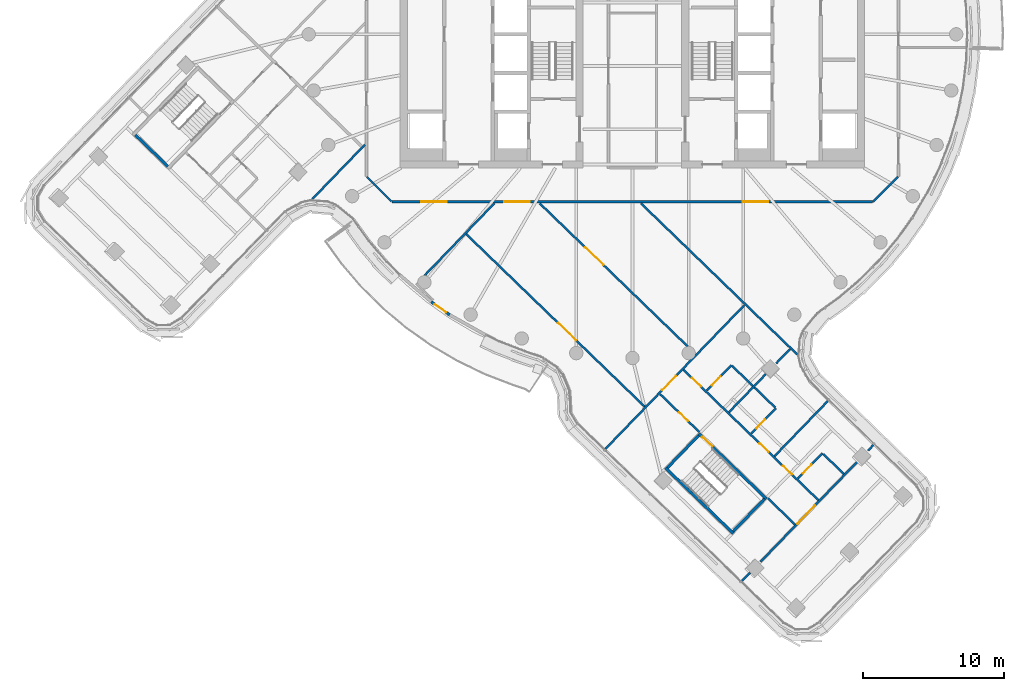
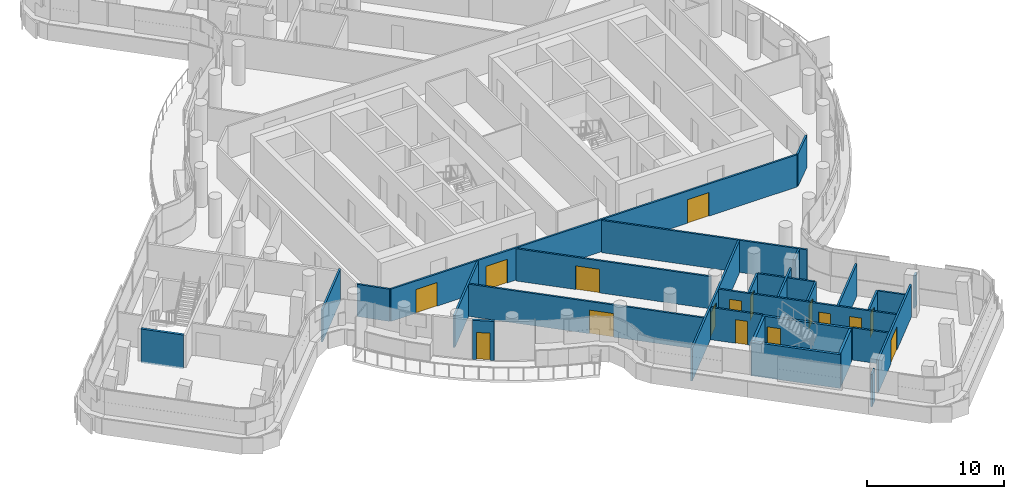
# One storey, part 19 of 31: 29 walls, 16 doors, 16 openings.
"""IFC4 building model written with IfcOpenShell, lengths in metres."""

from ifc_helpers import new_model, si_unit, direction, frame, frame_2d, origin, place, context, subcontext, project, spatial, polyline, rectangle, outline, extrude, material, layer, layer_set, type_object, element, fill, save


model = new_model("IFC4")

# Units and contexts
model_context = context("Model", 3, precision=1e-05, world=origin(), true_north=direction((0.0, 1.0)))
body_context = subcontext(model_context, "Body", "Model", "MODEL_VIEW")
ifc_project = project(units=[si_unit("LENGTHUNIT", "METRE"), si_unit("AREAUNIT", "SQUARE_METRE"), si_unit("VOLUMEUNIT", "CUBIC_METRE"), si_unit("PLANEANGLEUNIT", "RADIAN"), si_unit("MASSUNIT", "GRAM", prefix="KILO")], contexts=[model_context])

# Site, building, storey
site_placement = place(None, origin())
site = spatial("IfcSite", under=ifc_project, at=site_placement, CompositionType="ELEMENT")
building_placement = place(site_placement, origin())
building = spatial("IfcBuilding", under=site, at=building_placement, Name="Tamarind Cross Interchange Tower", CompositionType="ELEMENT")
storey_placement = place(building_placement, frame((0.0, 0.0, 200.5)))
storey = spatial("IfcBuildingStorey", under=building, at=storey_placement, Name="L50", CompositionType="ELEMENT", Elevation=200.5)

# Wall, opening, door
ifc_material_1 = material(Name="Concrete C40", Category="concrete")
ifc_layer_1 = layer(ifc_material_1, 0.199951171875)
ifc_layer_set_1 = layer_set([ifc_layer_1], Name="Concrete C40")
wall_type_1 = type_object("IfcWallType", Name="Balcony and garden door wall", PredefinedType="SOLIDWALL", material=ifc_layer_set_1)
wall_1_placement = place(storey_placement, frame((-14.29638671875, -19.009521484375, 0.0), z_axis=(0.0, 0.0, 1.0), x_axis=(0.816303315767, -0.577623490405, 0.0)))
wall_1 = element("IfcWall", 1, at=wall_1_placement, inside=storey, type_object=wall_type_1, Name="EXW-L50-02-D02", PredefinedType="SOLIDWALL", context=body_context, shape_type="SweptSolid", body=[
    extrude(rectangle(XDim=1.599853515625, YDim=0.199951171875, at=frame_2d((0.7998046875, 0.0))), origin(), (0.0, 0.0, 1.0), 3.4599609375),
])
opening_1_placement = place(wall_1_placement, frame((0.300048828125, 0.0, 0.0)))
opening_1 = element("IfcOpeningElement", 2, at=opening_1_placement, cuts=wall_1, Name="Opening D2", PredefinedType="OPENING", context=body_context, shape_type="SweptSolid", body=[
    extrude(rectangle(XDim=1.0, YDim=2.39990234375, at=frame_2d((0.5, 1.199951171875))), frame((0.0, 0.10986328125, 0.0), z_axis=(0.0, -1.0, 0.0), x_axis=(1.0, 0.0, 0.0)), (0.0, 0.0, 1.0), 0.219970703125),
])
ifc_material_2 = material(Name="Aluminium and toughened glass", Category="aluminium")
door_type_1 = type_object("IfcDoorType", Name="Balcony and garden door", OperationType="SINGLE_SWING_LEFT", PredefinedType="DOOR", material=ifc_material_2)
door_1_placement = place(opening_1_placement, origin())
door_1 = element("IfcDoor", 3, at=door_1_placement, inside=storey, type_object=door_type_1, Name="DOR-L50-02-02", OperationType="SINGLE_SWING_LEFT", OverallHeight=2.39990234375, OverallWidth=1.0, PredefinedType="DOOR", context=body_context, shape_type="SweptSolid", body=[
    extrude(rectangle(XDim=1.0, YDim=2.39990234375, at=frame_2d((0.5, 1.199951171875))), frame((0.0, 0.02490234375, 0.0), z_axis=(0.0, -1.0, 0.0), x_axis=(1.0, 0.0, 0.0)), (0.0, 0.0, 1.0), 0.050048828125),
])
fill(opening_1, door_1)

# Wall
ifc_material_3 = material(Name="Gypsum board partition on steel studs", Category="steel")
ifc_layer_2 = layer(ifc_material_3, 0.14990234375)
ifc_layer_set_2 = layer_set([ifc_layer_2], Name="Gypsum board partition on steel studs")
wall_type_2 = type_object("IfcWallType", Name="Partition 150 mm EI 120", PredefinedType="PARTITIONING", material=ifc_layer_set_2)
wall_2_placement = place(storey_placement, frame((-18.87158203125, -10.12841796875, 0.0), z_axis=(0.0, 0.0, 1.0), x_axis=(0.707106781187, -0.707106781187, 0.0)))
element("IfcWall", 4, at=wall_2_placement, inside=storey, type_object=wall_type_2, Name="Partition L50-001", PredefinedType="PARTITIONING", context=body_context, shape_type="SweptSolid", body=[
    extrude(rectangle(XDim=2.465087890625, YDim=0.14990234375, at=frame_2d((1.232421875, 0.0))), origin(), (0.0, 0.0, 1.0), 2.864013671875),
])

# Wall, opening, door
wall_3_placement = place(storey_placement, frame((-11.8154296875, -14.194580078125, 0.0), z_axis=(0.0, 0.0, 1.0), x_axis=(0.718997828195, -0.695012318632, 0.0)))
wall_3 = element("IfcWall", 5, at=wall_3_placement, inside=storey, type_object=wall_type_2, Name="Partition L50-009", PredefinedType="PARTITIONING", context=body_context, shape_type="SweptSolid", body=[
    extrude(rectangle(XDim=17.6396484375, YDim=0.14990234375, at=frame_2d((8.81982421875, 0.0))), origin(), (0.0, 0.0, 1.0), 2.864013671875),
])
opening_2_placement = place(wall_3_placement, frame((9.070068359375, 0.0, 0.0)))
opening_2 = element("IfcOpeningElement", 6, at=opening_2_placement, cuts=wall_3, Name="Opening D04", PredefinedType="OPENING", context=body_context, shape_type="SweptSolid", body=[
    extrude(rectangle(XDim=1.800048828125, YDim=2.10009765625, at=frame_2d((0.89990234375, 1.050048828125))), frame((0.0, 0.0849609375, 0.0), z_axis=(0.0, -1.0, 0.0), x_axis=(1.0, 0.0, 0.0)), (0.0, 0.0, 1.0), 0.169921875),
])
ifc_material_4 = material(Name="Fire-resisting door set")
door_type_2 = type_object("IfcDoorType", Name="Interior door 1800 x 2100 FD60S", OperationType="DOUBLE_DOOR_SINGLE_SWING", PredefinedType="DOOR", material=ifc_material_4)
door_2_placement = place(opening_2_placement, frame((1.800048828125, 0.0, 0.0), z_axis=(0.0, 0.0, 1.0), x_axis=(-1.0, 0.0, 0.0)))
door_2 = element("IfcDoor", 7, at=door_2_placement, inside=storey, type_object=door_type_2, Name="Door D04", OperationType="DOUBLE_DOOR_SINGLE_SWING", OverallHeight=2.10009765625, OverallWidth=1.800048828125, PredefinedType="DOOR", context=body_context, shape_type="SweptSolid", body=[
    extrude(rectangle(XDim=1.800048828125, YDim=2.10009765625, at=frame_2d((0.89990234375, 1.050048828125))), frame((0.0, 0.02490234375, 0.0), z_axis=(0.0, -1.0, 0.0), x_axis=(1.0, 0.0, 0.0)), (0.0, 0.0, 1.0), 0.050048828125),
])
fill(opening_2, door_2)

wall_4_placement = place(storey_placement, frame((-6.592041015625, -12.01123046875, 0.0), z_axis=(0.0, 0.0, 1.0), x_axis=(0.718966978759, -0.695044231293, 0.0)))
wall_4 = element("IfcWall", 8, at=wall_4_placement, inside=storey, type_object=wall_type_2, Name="Partition L50-015", PredefinedType="PARTITIONING", context=body_context, shape_type="SweptSolid", body=[
    extrude(rectangle(XDim=14.634521484375, YDim=0.14990234375, at=frame_2d((7.3173828125, 0.0))), origin(), (0.0, 0.0, 1.0), 2.864013671875),
])
opening_3_placement = place(wall_4_placement, frame((4.489990234375, 0.0, 0.0)))
opening_3 = element("IfcOpeningElement", 9, at=opening_3_placement, cuts=wall_4, Name="Opening D09", PredefinedType="OPENING", context=body_context, shape_type="SweptSolid", body=[
    extrude(rectangle(XDim=1.800048828125, YDim=2.10009765625, at=frame_2d((0.89990234375, 1.050048828125))), frame((0.0, 0.0849609375, 0.0), z_axis=(0.0, -1.0, 0.0), x_axis=(1.0, 0.0, 0.0)), (0.0, 0.0, 1.0), 0.169921875),
])
door_3_placement = place(opening_3_placement, origin())
door_3 = element("IfcDoor", 10, at=door_3_placement, inside=storey, type_object=door_type_2, Name="Door D09", OperationType="DOUBLE_DOOR_SINGLE_SWING", OverallHeight=2.10009765625, OverallWidth=1.800048828125, PredefinedType="DOOR", context=body_context, shape_type="SweptSolid", body=[
    extrude(rectangle(XDim=1.800048828125, YDim=2.10009765625, at=frame_2d((0.89990234375, 1.050048828125))), frame((0.0, 0.02490234375, 0.0), z_axis=(0.0, -1.0, 0.0), x_axis=(1.0, 0.0, 0.0)), (0.0, 0.0, 1.0), 0.050048828125),
])
fill(opening_3, door_3)

# Wall
wall_5_placement = place(storey_placement, frame((0.60205078125, -12.01123046875, 0.0), z_axis=(0.0, 0.0, 1.0), x_axis=(0.71894441759, -0.695067568238, 0.0)))
element("IfcWall", 11, at=wall_5_placement, inside=storey, type_object=wall_type_2, Name="Partition L50-020", PredefinedType="PARTITIONING", context=body_context, shape_type="SweptSolid", body=[
    extrude(rectangle(XDim=15.449951171875, YDim=0.14990234375, at=frame_2d((7.72509765625, 0.0))), origin(), (0.0, 0.0, 1.0), 2.864013671875),
])

# Wall, opening, door
wall_6_placement = place(storey_placement, frame((1.95556640625, -25.5595703125, 0.0), z_axis=(0.0, 0.0, 1.0), x_axis=(0.71905335322, -0.694954872796, 0.0)))
wall_6 = element("IfcWall", 12, at=wall_6_placement, inside=storey, type_object=wall_type_2, Name="Partition L50-022", PredefinedType="PARTITIONING", context=body_context, shape_type="SweptSolid", body=[
    extrude(rectangle(XDim=3.880126953125, YDim=0.14990234375, at=frame_2d((1.93994140625, 0.0))), origin(), (0.0, 0.0, 1.0), 2.864013671875),
])
opening_4_placement = place(wall_6_placement, frame((1.8701171875, 0.0, 0.0)))
opening_4 = element("IfcOpeningElement", 13, at=opening_4_placement, cuts=wall_6, Name="Opening D13", PredefinedType="OPENING", context=body_context, shape_type="SweptSolid", body=[
    extrude(rectangle(XDim=0.89990234375, YDim=2.10009765625, at=frame_2d((0.449951171875, 1.050048828125))), frame((0.0, 0.0849609375, 0.0), z_axis=(0.0, -1.0, 0.0), x_axis=(1.0, 0.0, 0.0)), (0.0, 0.0, 1.0), 0.169921875),
])
door_type_3 = type_object("IfcDoorType", Name="Interior door 900 x 2100 FD60S", OperationType="SINGLE_SWING_LEFT", PredefinedType="DOOR", material=ifc_material_4)
door_4_placement = place(opening_4_placement, frame((0.89990234375, 0.0, 0.0), z_axis=(0.0, 0.0, 1.0), x_axis=(-1.0, 0.0, 0.0)))
door_4 = element("IfcDoor", 14, at=door_4_placement, inside=storey, type_object=door_type_3, Name="Door D13", OperationType="SINGLE_SWING_RIGHT", OverallHeight=2.10009765625, OverallWidth=0.89990234375, PredefinedType="DOOR", context=body_context, shape_type="SweptSolid", body=[
    extrude(rectangle(XDim=0.89990234375, YDim=2.10009765625, at=frame_2d((0.449951171875, 1.050048828125))), frame((0.0, 0.02490234375, 0.0), z_axis=(0.0, -1.0, 0.0), x_axis=(1.0, 0.0, 0.0)), (0.0, 0.0, 1.0), 0.050048828125),
])
fill(opening_4, door_4)

# Wall
wall_7_placement = place(storey_placement, frame((9.62109375, -32.967529296875, 0.0), z_axis=(0.0, 0.0, 1.0), x_axis=(0.719071812357, -0.694935773057, 0.0)))
element("IfcWall", 15, at=wall_7_placement, inside=storey, type_object=wall_type_2, Name="Partition L50-023", PredefinedType="PARTITIONING", context=body_context, shape_type="SweptSolid", body=[
    extrude(rectangle(XDim=2.680419921875, YDim=0.14990234375, at=frame_2d((1.34033203125, 0.0))), origin(), (0.0, 0.0, 1.0), 2.864013671875),
])

# Wall, openings, doors
wall_8_placement = place(storey_placement, frame((3.62353515625, -23.83349609375, 0.0), z_axis=(0.0, 0.0, 1.0), x_axis=(0.719000873962, -0.69500916774, 0.0)))
wall_8 = element("IfcWall", 16, at=wall_8_placement, inside=storey, type_object=wall_type_2, Name="Partition L50-024", PredefinedType="PARTITIONING", context=body_context, shape_type="SweptSolid", body=[
    extrude(rectangle(XDim=13.3408203125, YDim=0.14990234375, at=frame_2d((6.67041015625, 0.0))), origin(), (0.0, 0.0, 1.0), 2.864013671875),
])
opening_5_placement = place(wall_8_placement, frame((0.820068359375, 0.0, 0.0)))
opening_5 = element("IfcOpeningElement", 17, at=opening_5_placement, cuts=wall_8, Name="Opening D14", PredefinedType="OPENING", context=body_context, shape_type="SweptSolid", body=[
    extrude(rectangle(XDim=0.89990234375, YDim=2.10009765625, at=frame_2d((0.449951171875, 1.050048828125))), frame((0.0, 0.0849609375, 0.0), z_axis=(0.0, -1.0, 0.0), x_axis=(1.0, 0.0, 0.0)), (0.0, 0.0, 1.0), 0.169921875),
])
opening_6_placement = place(wall_8_placement, frame((7.52001953125, 0.0, 0.0)))
opening_6 = element("IfcOpeningElement", 18, at=opening_6_placement, cuts=wall_8, Name="Opening D15", PredefinedType="OPENING", context=body_context, shape_type="SweptSolid", body=[
    extrude(rectangle(XDim=0.89990234375, YDim=2.10009765625, at=frame_2d((0.449951171875, 1.050048828125))), frame((0.0, 0.0849609375, 0.0), z_axis=(0.0, -1.0, 0.0), x_axis=(1.0, 0.0, 0.0)), (0.0, 0.0, 1.0), 0.169921875),
])
opening_7_placement = place(wall_8_placement, frame((9.81982421875, 0.0, 0.0)))
opening_7 = element("IfcOpeningElement", 19, at=opening_7_placement, cuts=wall_8, Name="Opening D16", PredefinedType="OPENING", context=body_context, shape_type="SweptSolid", body=[
    extrude(rectangle(XDim=0.89990234375, YDim=2.10009765625, at=frame_2d((0.449951171875, 1.050048828125))), frame((0.0, 0.0849609375, 0.0), z_axis=(0.0, -1.0, 0.0), x_axis=(1.0, 0.0, 0.0)), (0.0, 0.0, 1.0), 0.169921875),
])
door_5_placement = place(opening_5_placement, origin())
door_5 = element("IfcDoor", 20, at=door_5_placement, inside=storey, type_object=door_type_3, Name="Door D14", OperationType="SINGLE_SWING_RIGHT", OverallHeight=2.10009765625, OverallWidth=0.89990234375, PredefinedType="DOOR", context=body_context, shape_type="SweptSolid", body=[
    extrude(rectangle(XDim=0.89990234375, YDim=2.10009765625, at=frame_2d((0.449951171875, 1.050048828125))), frame((0.0, 0.02490234375, 0.0), z_axis=(0.0, -1.0, 0.0), x_axis=(1.0, 0.0, 0.0)), (0.0, 0.0, 1.0), 0.050048828125),
])
fill(opening_5, door_5)
door_6_placement = place(opening_6_placement, origin())
door_6 = element("IfcDoor", 21, at=door_6_placement, inside=storey, type_object=door_type_3, Name="Door D15", OperationType="SINGLE_SWING_LEFT", OverallHeight=2.10009765625, OverallWidth=0.89990234375, PredefinedType="DOOR", context=body_context, shape_type="SweptSolid", body=[
    extrude(rectangle(XDim=0.89990234375, YDim=2.10009765625, at=frame_2d((0.449951171875, 1.050048828125))), frame((0.0, 0.02490234375, 0.0), z_axis=(0.0, -1.0, 0.0), x_axis=(1.0, 0.0, 0.0)), (0.0, 0.0, 1.0), 0.050048828125),
])
fill(opening_6, door_6)
door_7_placement = place(opening_7_placement, origin())
door_7 = element("IfcDoor", 22, at=door_7_placement, inside=storey, type_object=door_type_3, Name="Door D16", OperationType="SINGLE_SWING_LEFT", OverallHeight=2.10009765625, OverallWidth=0.89990234375, PredefinedType="DOOR", context=body_context, shape_type="SweptSolid", body=[
    extrude(rectangle(XDim=0.89990234375, YDim=2.10009765625, at=frame_2d((0.449951171875, 1.050048828125))), frame((0.0, 0.02490234375, 0.0), z_axis=(0.0, -1.0, 0.0), x_axis=(1.0, 0.0, 0.0)), (0.0, 0.0, 1.0), 0.050048828125),
])
fill(opening_7, door_7)

# Walls
wall_9_placement = place(storey_placement, frame((7.080810546875, -23.55908203125, 0.0), z_axis=(0.0, 0.0, 1.0), x_axis=(0.718812302833, -0.695204195396, 0.0)))
element("IfcWall", 23, at=wall_9_placement, inside=storey, type_object=wall_type_2, Name="Partition L50-025", PredefinedType="PARTITIONING", context=body_context, shape_type="SweptSolid", body=[
    extrude(rectangle(XDim=4.250244140625, YDim=0.14990234375, at=frame_2d((2.125, 0.0))), origin(), (0.0, 0.0, 1.0), 2.864013671875),
])
wall_10_placement = place(storey_placement, frame((13.55078125, -29.81640625, 0.0), z_axis=(0.0, 0.0, 1.0), x_axis=(0.718827277279, -0.695188712106, 0.0)))
element("IfcWall", 24, at=wall_10_placement, inside=storey, type_object=wall_type_2, Name="Partition L50-026", PredefinedType="PARTITIONING", context=body_context, shape_type="SweptSolid", body=[
    extrude(rectangle(XDim=2.044921875, YDim=0.14990234375, at=frame_2d((1.0224609375, 0.0))), origin(), (0.0, 0.0, 1.0), 2.864013671875),
])

# Wall, openings, doors
wall_11_placement = place(storey_placement, frame((-17.10009765625, -11.89990234375, 0.0), z_axis=(0.0, 0.0, 1.0), x_axis=(1.0, 0.0, 0.0)))
wall_11 = element("IfcWall", 25, at=wall_11_placement, inside=storey, type_object=wall_type_2, Name="Partition L50-028", PredefinedType="PARTITIONING", context=body_context, shape_type="SweptSolid", body=[
    extrude(rectangle(XDim=34.1650390625, YDim=0.14990234375, at=frame_2d((17.08251953125, 0.0))), origin(), (0.0, 0.0, 1.0), 2.864013671875),
])
opening_8_placement = place(wall_11_placement, frame((7.991943359375, 0.0, 0.0)))
opening_8 = element("IfcOpeningElement", 26, at=opening_8_placement, cuts=wall_11, Name="Opening D17", PredefinedType="OPENING", context=body_context, shape_type="SweptSolid", body=[
    extrude(rectangle(XDim=1.800048828125, YDim=2.10009765625, at=frame_2d((0.89990234375, 1.050048828125))), frame((0.0, 0.0849609375, 0.0), z_axis=(0.0, -1.0, 0.0), x_axis=(1.0, 0.0, 0.0)), (0.0, 0.0, 1.0), 0.169921875),
])
opening_9_placement = place(wall_11_placement, frame((2.10009765625, 0.0, 0.0)))
opening_9 = element("IfcOpeningElement", 27, at=opening_9_placement, cuts=wall_11, Name="Opening D18", PredefinedType="OPENING", context=body_context, shape_type="SweptSolid", body=[
    extrude(rectangle(XDim=1.800048828125, YDim=2.10009765625, at=frame_2d((0.89990234375, 1.050048828125))), frame((0.0, 0.0849609375, 0.0), z_axis=(0.0, -1.0, 0.0), x_axis=(1.0, 0.0, 0.0)), (0.0, 0.0, 1.0), 0.169921875),
])
opening_10_placement = place(wall_11_placement, frame((24.93701171875, 0.0, 0.0)))
opening_10 = element("IfcOpeningElement", 28, at=opening_10_placement, cuts=wall_11, Name="Opening D19", PredefinedType="OPENING", context=body_context, shape_type="SweptSolid", body=[
    extrude(rectangle(XDim=1.800048828125, YDim=2.10009765625, at=frame_2d((0.89990234375, 1.050048828125))), frame((0.0, 0.0849609375, 0.0), z_axis=(0.0, -1.0, 0.0), x_axis=(1.0, 0.0, 0.0)), (0.0, 0.0, 1.0), 0.169921875),
])
door_8_placement = place(opening_8_placement, origin())
door_8 = element("IfcDoor", 29, at=door_8_placement, inside=storey, type_object=door_type_2, Name="Door D17", OperationType="DOUBLE_DOOR_SINGLE_SWING", OverallHeight=2.10009765625, OverallWidth=1.800048828125, PredefinedType="DOOR", context=body_context, shape_type="SweptSolid", body=[
    extrude(rectangle(XDim=1.800048828125, YDim=2.10009765625, at=frame_2d((0.89990234375, 1.050048828125))), frame((0.0, 0.02490234375, 0.0), z_axis=(0.0, -1.0, 0.0), x_axis=(1.0, 0.0, 0.0)), (0.0, 0.0, 1.0), 0.050048828125),
])
fill(opening_8, door_8)
door_9_placement = place(opening_9_placement, frame((1.800048828125, 0.0, 0.0), z_axis=(0.0, 0.0, 1.0), x_axis=(-1.0, 0.0, 0.0)))
door_9 = element("IfcDoor", 30, at=door_9_placement, inside=storey, type_object=door_type_2, Name="Door D18", OperationType="DOUBLE_DOOR_SINGLE_SWING", OverallHeight=2.10009765625, OverallWidth=1.800048828125, PredefinedType="DOOR", context=body_context, shape_type="SweptSolid", body=[
    extrude(rectangle(XDim=1.800048828125, YDim=2.10009765625, at=frame_2d((0.89990234375, 1.050048828125))), frame((0.0, 0.02490234375, 0.0), z_axis=(0.0, -1.0, 0.0), x_axis=(1.0, 0.0, 0.0)), (0.0, 0.0, 1.0), 0.050048828125),
])
fill(opening_9, door_9)
door_10_placement = place(opening_10_placement, frame((1.800048828125, 0.0, 0.0), z_axis=(0.0, 0.0, 1.0), x_axis=(-1.0, 0.0, 0.0)))
door_10 = element("IfcDoor", 31, at=door_10_placement, inside=storey, type_object=door_type_2, Name="Door D19", OperationType="DOUBLE_DOOR_SINGLE_SWING", OverallHeight=2.10009765625, OverallWidth=1.800048828125, PredefinedType="DOOR", context=body_context, shape_type="SweptSolid", body=[
    extrude(rectangle(XDim=1.800048828125, YDim=2.10009765625, at=frame_2d((0.89990234375, 1.050048828125))), frame((0.0, 0.02490234375, 0.0), z_axis=(0.0, -1.0, 0.0), x_axis=(1.0, 0.0, 0.0)), (0.0, 0.0, 1.0), 0.050048828125),
])
fill(opening_10, door_10)

# Walls
wall_12_placement = place(storey_placement, frame((17.10009765625, -11.89990234375, 0.0), z_axis=(0.0, 0.0, 1.0), x_axis=(0.707106781187, 0.707106781187, 0.0)))
element("IfcWall", 32, at=wall_12_placement, inside=storey, type_object=wall_type_2, Name="Partition L50-038", PredefinedType="PARTITIONING", context=body_context, shape_type="SweptSolid", body=[
    extrude(rectangle(XDim=2.50537109375, YDim=0.14990234375, at=frame_2d((1.252685546875, 0.0))), origin(), (0.0, 0.0, 1.0), 2.864013671875),
])
wall_13_placement = place(storey_placement, frame((-22.749755859375, -11.709716796875, 0.0), z_axis=(0.0, 0.0, 1.0), x_axis=(0.695090925045, 0.718921835751, 0.0)))
element("IfcWall", 33, at=wall_13_placement, inside=storey, type_object=wall_type_2, Name="Partition L50-044", PredefinedType="PARTITIONING", context=body_context, shape_type="SweptSolid", body=[
    extrude(rectangle(XDim=5.37841796875, YDim=0.14990234375, at=frame_2d((2.689208984375, 0.0))), origin(), (0.0, 0.0, 1.0), 2.864013671875),
])
wall_14_placement = place(storey_placement, frame((-14.771484375, -17.137451171875, 0.0), z_axis=(0.0, 0.0, 1.0), x_axis=(0.695029172264, 0.718981536412, 0.0)))
element("IfcWall", 34, at=wall_14_placement, inside=storey, type_object=wall_type_2, Name="Partition L50-046", PredefinedType="PARTITIONING", context=body_context, shape_type="SweptSolid", body=[
    extrude(rectangle(XDim=7.135009765625, YDim=0.14990234375, at=frame_2d((3.5673828125, 0.0))), origin(), (0.0, 0.0, 1.0), 2.864013671875),
])

# Wall, opening, door
wall_15_placement = place(storey_placement, frame((-1.923583984375, -29.457763671875, 0.0), z_axis=(0.0, 0.0, 1.0), x_axis=(0.694993988342, 0.719015546542, 0.0)))
wall_15 = element("IfcWall", 35, at=wall_15_placement, inside=storey, type_object=wall_type_2, Name="Partition L50-057", PredefinedType="PARTITIONING", context=body_context, shape_type="SweptSolid", body=[
    extrude(rectangle(XDim=14.218505859375, YDim=0.14990234375, at=frame_2d((7.109375, 0.0))), origin(), (0.0, 0.0, 1.0), 2.864013671875),
])
opening_11_placement = place(wall_15_placement, frame((5.798828125, 0.0, 0.0)))
opening_11 = element("IfcOpeningElement", 36, at=opening_11_placement, cuts=wall_15, Name="Opening D32", PredefinedType="OPENING", context=body_context, shape_type="SweptSolid", body=[
    extrude(rectangle(XDim=1.39990234375, YDim=2.10009765625, at=frame_2d((0.699951171875, 1.050048828125))), frame((0.0, 0.0849609375, 0.0), z_axis=(0.0, -1.0, 0.0), x_axis=(1.0, 0.0, 0.0)), (0.0, 0.0, 1.0), 0.169921875),
])
door_type_4 = type_object("IfcDoorType", Name="Interior door 1400 x 2100 FD60S", OperationType="DOUBLE_DOOR_SINGLE_SWING", PredefinedType="DOOR", material=ifc_material_4)
door_11_placement = place(opening_11_placement, origin())
door_11 = element("IfcDoor", 37, at=door_11_placement, inside=storey, type_object=door_type_4, Name="Door D32", OperationType="DOUBLE_DOOR_SINGLE_SWING", OverallHeight=2.10009765625, OverallWidth=1.39990234375, PredefinedType="DOOR", context=body_context, shape_type="SweptSolid", body=[
    extrude(rectangle(XDim=1.39990234375, YDim=2.10009765625, at=frame_2d((0.699951171875, 1.050048828125))), frame((0.0, 0.02490234375, 0.0), z_axis=(0.0, -1.0, 0.0), x_axis=(1.0, 0.0, 0.0)), (0.0, 0.0, 1.0), 0.050048828125),
])
fill(opening_11, door_11)

wall_16_placement = place(storey_placement, frame((5.275634765625, -25.319580078125, 0.0), z_axis=(0.0, 0.0, 1.0), x_axis=(0.694895234989, 0.719110987532, 0.0)))
wall_16 = element("IfcWall", 38, at=wall_16_placement, inside=storey, type_object=wall_type_2, Name="Partition L50-058", PredefinedType="PARTITIONING", context=body_context, shape_type="SweptSolid", body=[
    extrude(rectangle(XDim=2.5205078125, YDim=0.14990234375, at=frame_2d((1.26025390625, 0.0))), origin(), (0.0, 0.0, 1.0), 2.864013671875),
])
opening_12_placement = place(wall_16_placement, frame((0.52001953125, 0.0, 0.0)))
opening_12 = element("IfcOpeningElement", 39, at=opening_12_placement, cuts=wall_16, Name="Opening D33", PredefinedType="OPENING", context=body_context, shape_type="SweptSolid", body=[
    extrude(rectangle(XDim=0.89990234375, YDim=2.10009765625, at=frame_2d((0.449951171875, 1.050048828125))), frame((0.0, 0.0849609375, 0.0), z_axis=(0.0, -1.0, 0.0), x_axis=(1.0, 0.0, 0.0)), (0.0, 0.0, 1.0), 0.169921875),
])
door_12_placement = place(opening_12_placement, frame((0.89990234375, 0.0, 0.0), z_axis=(0.0, 0.0, 1.0), x_axis=(-1.0, 0.0, 0.0)))
door_12 = element("IfcDoor", 40, at=door_12_placement, inside=storey, type_object=door_type_3, Name="Door D33", OperationType="SINGLE_SWING_LEFT", OverallHeight=2.10009765625, OverallWidth=0.89990234375, PredefinedType="DOOR", context=body_context, shape_type="SweptSolid", body=[
    extrude(rectangle(XDim=0.89990234375, YDim=2.10009765625, at=frame_2d((0.449951171875, 1.050048828125))), frame((0.0, 0.02490234375, 0.0), z_axis=(0.0, -1.0, 0.0), x_axis=(1.0, 0.0, 0.0)), (0.0, 0.0, 1.0), 0.050048828125),
])
fill(opening_12, door_12)

# Walls
wall_17_placement = place(storey_placement, frame((6.857666015625, -26.848388671875, 0.0), z_axis=(0.0, 0.0, 1.0), x_axis=(0.695100355809, 0.71891271748, 0.0)))
element("IfcWall", 41, at=wall_17_placement, inside=storey, type_object=wall_type_2, Name="Partition L50-059", PredefinedType="PARTITIONING", context=body_context, shape_type="SweptSolid", body=[
    extrude(rectangle(XDim=3.7626953125, YDim=0.14990234375, at=frame_2d((1.88134765625, 0.0))), origin(), (0.0, 0.0, 1.0), 2.864013671875),
])
wall_18_placement = place(storey_placement, frame((10.211669921875, -23.37939453125, 0.0), z_axis=(0.0, 0.0, 1.0), x_axis=(0.695099405965, 0.718913635861, 0.0)))
element("IfcWall", 42, at=wall_18_placement, inside=storey, type_object=wall_type_2, Name="Partition L50-060", PredefinedType="PARTITIONING", context=body_context, shape_type="SweptSolid", body=[
    extrude(rectangle(XDim=1.414794921875, YDim=0.14990234375, at=frame_2d((0.70751953125, 0.0))), origin(), (0.0, 0.0, 1.0), 2.864013671875),
])
wall_19_placement = place(storey_placement, frame((7.78271484375, -38.84033203125, 0.0), z_axis=(0.0, 0.0, 1.0), x_axis=(0.695042456293, 0.718968694695, 0.0)))
element("IfcWall", 43, at=wall_19_placement, inside=storey, type_object=wall_type_2, Name="Partition L50-061", PredefinedType="PARTITIONING", context=body_context, shape_type="SweptSolid", body=[
    extrude(rectangle(XDim=0.826416015625, YDim=0.14990234375, at=frame_2d((0.4130859375, 0.0))), origin(), (0.0, 0.0, 1.0), 2.864013671875),
])

# Wall, opening, door
wall_20_placement = place(storey_placement, frame((9.095703125, -37.48193359375, 0.0), z_axis=(0.0, 0.0, 1.0), x_axis=(0.695037764451, 0.718973230369, 0.0)))
wall_20 = element("IfcWall", 44, at=wall_20_placement, inside=storey, type_object=wall_type_2, Name="Partition L50-062", PredefinedType="PARTITIONING", context=body_context, shape_type="SweptSolid", body=[
    extrude(rectangle(XDim=9.934814453125, YDim=0.14990234375, at=frame_2d((4.96728515625, 0.0))), origin(), (0.0, 0.0, 1.0), 2.864013671875),
])
opening_13_placement = place(wall_20_placement, frame((3.759765625, 0.0, 0.0)))
opening_13 = element("IfcOpeningElement", 45, at=opening_13_placement, cuts=wall_20, Name="Opening D34", PredefinedType="OPENING", context=body_context, shape_type="SweptSolid", body=[
    extrude(rectangle(XDim=1.800048828125, YDim=2.10009765625, at=frame_2d((0.89990234375, 1.050048828125))), frame((0.0, 0.0849609375, 0.0), z_axis=(0.0, -1.0, 0.0), x_axis=(1.0, 0.0, 0.0)), (0.0, 0.0, 1.0), 0.169921875),
])
door_13_placement = place(opening_13_placement, frame((1.800048828125, 0.0, 0.0), z_axis=(0.0, 0.0, 1.0), x_axis=(-1.0, 0.0, 0.0)))
door_13 = element("IfcDoor", 46, at=door_13_placement, inside=storey, type_object=door_type_2, Name="Door D34", OperationType="DOUBLE_DOOR_SINGLE_SWING", OverallHeight=2.10009765625, OverallWidth=1.800048828125, PredefinedType="DOOR", context=body_context, shape_type="SweptSolid", body=[
    extrude(rectangle(XDim=1.800048828125, YDim=2.10009765625, at=frame_2d((0.89990234375, 1.050048828125))), frame((0.0, 0.02490234375, 0.0), z_axis=(0.0, -1.0, 0.0), x_axis=(1.0, 0.0, 0.0)), (0.0, 0.0, 1.0), 0.050048828125),
])
fill(opening_13, door_13)

# Wall
wall_21_placement = place(storey_placement, frame((16.739501953125, -29.5751953125, 0.0), z_axis=(0.0, 0.0, 1.0), x_axis=(0.694982256891, 0.719026885872, 0.0)))
element("IfcWall", 47, at=wall_21_placement, inside=storey, type_object=wall_type_2, Name="Partition L50-063", PredefinedType="PARTITIONING", context=body_context, shape_type="SweptSolid", body=[
    extrude(rectangle(XDim=0.528076171875, YDim=0.14990234375, at=frame_2d((0.26416015625, 0.0))), origin(), (0.0, 0.0, 1.0), 2.864013671875),
])

# Wall, opening, door
wall_22_placement = place(storey_placement, frame((8.438720703125, -28.37744140625, 0.0), z_axis=(0.0, 0.0, 1.0), x_axis=(0.695038793362, 0.71897223571, 0.0)))
wall_22 = element("IfcWall", 48, at=wall_22_placement, inside=storey, type_object=wall_type_2, Name="Partition L50-064", PredefinedType="PARTITIONING", context=body_context, shape_type="SweptSolid", body=[
    extrude(rectangle(XDim=2.51953125, YDim=0.14990234375, at=frame_2d((1.259765625, 0.0))), origin(), (0.0, 0.0, 1.0), 2.864013671875),
])
opening_14_placement = place(wall_22_placement, frame((0.52001953125, 0.0, 0.0)))
opening_14 = element("IfcOpeningElement", 49, at=opening_14_placement, cuts=wall_22, Name="Opening D35", PredefinedType="OPENING", context=body_context, shape_type="SweptSolid", body=[
    extrude(rectangle(XDim=0.89990234375, YDim=2.10009765625, at=frame_2d((0.449951171875, 1.050048828125))), frame((0.0, 0.0849609375, 0.0), z_axis=(0.0, -1.0, 0.0), x_axis=(1.0, 0.0, 0.0)), (0.0, 0.0, 1.0), 0.169921875),
])
door_14_placement = place(opening_14_placement, origin())
door_14 = element("IfcDoor", 50, at=door_14_placement, inside=storey, type_object=door_type_3, Name="Door D35", OperationType="SINGLE_SWING_RIGHT", OverallHeight=2.10009765625, OverallWidth=0.89990234375, PredefinedType="DOOR", context=body_context, shape_type="SweptSolid", body=[
    extrude(rectangle(XDim=0.89990234375, YDim=2.10009765625, at=frame_2d((0.449951171875, 1.050048828125))), frame((0.0, 0.02490234375, 0.0), z_axis=(0.0, -1.0, 0.0), x_axis=(1.0, 0.0, 0.0)), (0.0, 0.0, 1.0), 0.050048828125),
])
fill(opening_14, door_14)

# Wall
wall_23_placement = place(storey_placement, frame((10.092529296875, -29.9755859375, 0.0), z_axis=(0.0, 0.0, 1.0), x_axis=(0.695076091352, 0.71893617744, 0.0)))
element("IfcWall", 51, at=wall_23_placement, inside=storey, type_object=wall_type_2, Name="Partition L50-065", PredefinedType="PARTITIONING", context=body_context, shape_type="SweptSolid", body=[
    extrude(rectangle(XDim=5.453857421875, YDim=0.14990234375, at=frame_2d((2.72705078125, 0.0))), origin(), (0.0, 0.0, 1.0), 2.864013671875),
])

# Wall, opening, door
wall_24_placement = place(storey_placement, frame((11.74658203125, -31.574462890625, 0.0), z_axis=(0.0, 0.0, 1.0), x_axis=(0.69508887616, 0.718923816714, 0.0)))
wall_24 = element("IfcWall", 52, at=wall_24_placement, inside=storey, type_object=wall_type_2, Name="Partition L50-066", PredefinedType="PARTITIONING", context=body_context, shape_type="SweptSolid", body=[
    extrude(rectangle(XDim=2.519775390625, YDim=0.14990234375, at=frame_2d((1.259765625, 0.0))), origin(), (0.0, 0.0, 1.0), 2.864013671875),
])
opening_15_placement = place(wall_24_placement, frame((0.52001953125, 0.0, 0.0)))
opening_15 = element("IfcOpeningElement", 53, at=opening_15_placement, cuts=wall_24, Name="Opening D36", PredefinedType="OPENING", context=body_context, shape_type="SweptSolid", body=[
    extrude(rectangle(XDim=0.89990234375, YDim=2.10009765625, at=frame_2d((0.449951171875, 1.050048828125))), frame((0.0, 0.0849609375, 0.0), z_axis=(0.0, -1.0, 0.0), x_axis=(1.0, 0.0, 0.0)), (0.0, 0.0, 1.0), 0.169921875),
])
door_15_placement = place(opening_15_placement, frame((0.89990234375, 0.0, 0.0), z_axis=(0.0, 0.0, 1.0), x_axis=(-1.0, 0.0, 0.0)))
door_15 = element("IfcDoor", 54, at=door_15_placement, inside=storey, type_object=door_type_3, Name="Door D36", OperationType="SINGLE_SWING_LEFT", OverallHeight=2.10009765625, OverallWidth=0.89990234375, PredefinedType="DOOR", context=body_context, shape_type="SweptSolid", body=[
    extrude(rectangle(XDim=0.89990234375, YDim=2.10009765625, at=frame_2d((0.449951171875, 1.050048828125))), frame((0.0, 0.02490234375, 0.0), z_axis=(0.0, -1.0, 0.0), x_axis=(1.0, 0.0, 0.0)), (0.0, 0.0, 1.0), 0.050048828125),
])
fill(opening_15, door_15)

# Wall
ifc_layer_3 = layer(ifc_material_1, 0.199951171875)
ifc_layer_set_3 = layer_set([ifc_layer_3], Name="Concrete C40")
wall_type_3 = type_object("IfcWallType", Name="Stair shaft wall 200 mm Concrete C40", PredefinedType="SHEAR", material=ifc_layer_set_3)
wall_25_placement = place(storey_placement, frame((0.0, 0.0, -0.139892578125)))
element("IfcWall", 55, at=wall_25_placement, inside=storey, type_object=wall_type_3, Name="Core wall CWL-L50-ST5-CF", PredefinedType="SHEAR", context=body_context, shape_type="SweptSolid", body=[
    extrude(outline(polyline([(-35.24609375, -7.08447265625), (-35.385009765625, -7.228271484375), (-33.08447265625, -9.452392578125), (-32.9453125, -9.30859375), (-35.24609375, -7.08447265625)])), origin(), (0.0, 0.0, 1.0), 3.00390625),
])

# Wall, opening, door
wall_26_placement = place(storey_placement, frame((4.70458984375, -28.355712890625, -0.139892578125), z_axis=(0.0, 0.0, 1.0), x_axis=(0.718975629644, -0.695035282542, 0.0)))
wall_26 = element("IfcWall", 56, at=wall_26_placement, inside=storey, type_object=wall_type_3, Name="Core wall CWL-L50-ST6-H", PredefinedType="SHEAR", context=body_context, shape_type="SweptSolid", body=[
    extrude(rectangle(XDim=6.699951171875, YDim=0.199951171875, at=frame_2d((3.35009765625, 0.0))), origin(), (0.0, 0.0, 1.0), 3.00390625),
])
opening_16_placement = place(wall_26_placement, frame((0.35009765625, 0.0, 0.0)))
opening_16 = element("IfcOpeningElement", 57, at=opening_16_placement, cuts=wall_26, Name="Opening ST6L50", PredefinedType="OPENING", context=body_context, shape_type="SweptSolid", body=[
    extrude(rectangle(XDim=1.0, YDim=2.10009765625, at=frame_2d((0.5, 1.050048828125))), frame((0.0, 0.10986328125, 0.0), z_axis=(0.0, -1.0, 0.0), x_axis=(1.0, 0.0, 0.0)), (0.0, 0.0, 1.0), 0.219970703125),
])
ifc_material_5 = material(Name="Steel, fire-resisting", Category="steel")
door_type_5 = type_object("IfcDoorType", Name="Core fire door 1000 x 2100 FD90", OperationType="SINGLE_SWING_LEFT", PredefinedType="DOOR", material=ifc_material_5)
door_16_placement = place(opening_16_placement, origin())
door_16 = element("IfcDoor", 58, at=door_16_placement, inside=storey, type_object=door_type_5, Name="L50 stair door ST6", OperationType="SINGLE_SWING_LEFT", OverallHeight=2.10009765625, OverallWidth=1.0, PredefinedType="DOOR", context=body_context, shape_type="SweptSolid", body=[
    extrude(rectangle(XDim=1.0, YDim=2.10009765625, at=frame_2d((0.5, 1.050048828125))), frame((0.0, 0.02490234375, 0.0), z_axis=(0.0, -1.0, 0.0), x_axis=(1.0, 0.0, 0.0)), (0.0, 0.0, 1.0), 0.050048828125),
])
fill(opening_16, door_16)

# Walls
wall_27_placement = place(storey_placement, frame((2.341552734375, -30.80029296875, -0.139892578125), z_axis=(0.0, 0.0, 1.0), x_axis=(0.718975629644, -0.695035282542, 0.0)))
element("IfcWall", 59, at=wall_27_placement, inside=storey, type_object=wall_type_3, Name="Core wall CWL-L50-ST6-C", PredefinedType="SHEAR", context=body_context, shape_type="SweptSolid", body=[
    extrude(rectangle(XDim=6.699951171875, YDim=0.199951171875, at=frame_2d((3.35009765625, 0.0))), origin(), (0.0, 0.0, 1.0), 3.00390625),
])
wall_28_placement = place(storey_placement, frame((2.48291015625, -30.798095703125, -0.139892578125), z_axis=(0.0, 0.0, 1.0), x_axis=(0.695027355379, 0.718983292765, 0.0)))
element("IfcWall", 60, at=wall_28_placement, inside=storey, type_object=wall_type_3, Name="Core wall CWL-L50-ST6-CE", PredefinedType="SHEAR", context=body_context, shape_type="SweptSolid", body=[
    extrude(rectangle(XDim=3.199951171875, YDim=0.199951171875, at=frame_2d((1.60009765625, 0.0))), origin(), (0.0, 0.0, 1.0), 3.00390625),
])
wall_29_placement = place(storey_placement, frame((0.0, 0.0, -0.139892578125)))
element("IfcWall", 61, at=wall_29_placement, inside=storey, type_object=wall_type_3, Name="Core wall CWL-L50-ST6-CF", PredefinedType="SHEAR", context=body_context, shape_type="SweptSolid", body=[
    extrude(outline(polyline([(7.08447265625, -35.24609375), (7.228271484375, -35.385009765625), (9.452392578125, -33.08447265625), (9.30859375, -32.9453125), (7.08447265625, -35.24609375)])), origin(), (0.0, 0.0, 1.0), 3.00390625),
])

save(model, "model.ifc")
